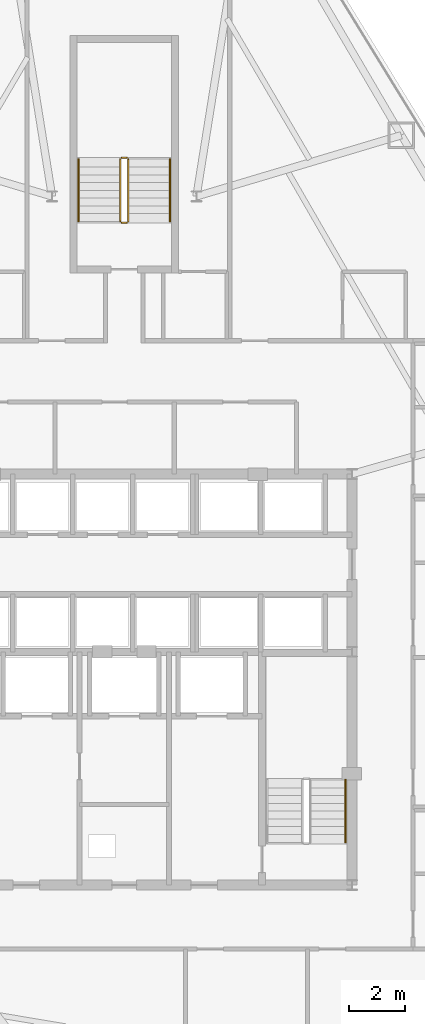
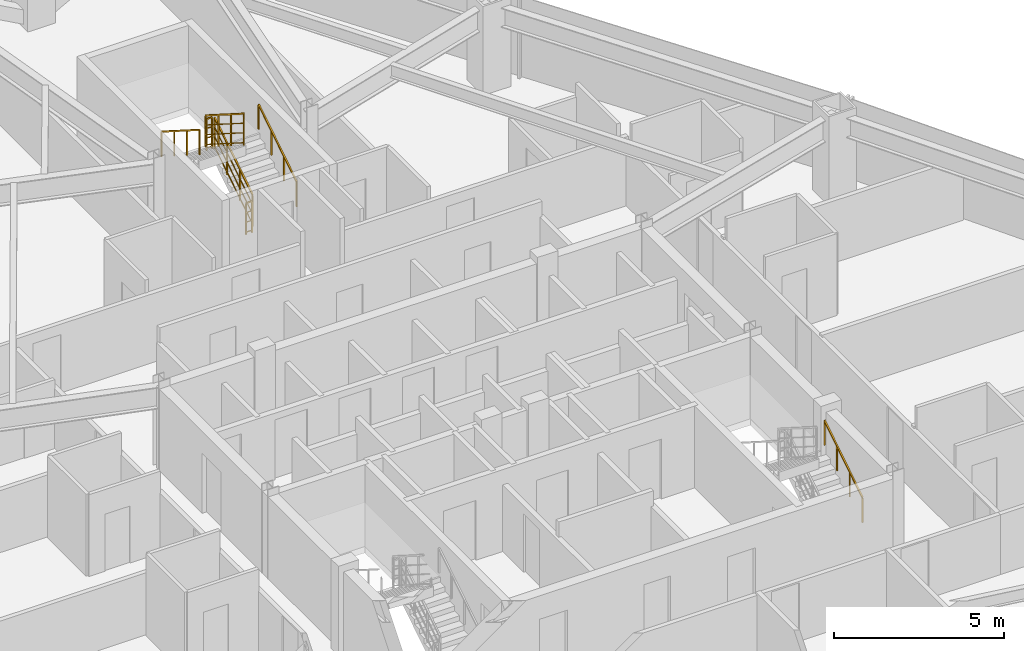
# One storey, part 13 of 13: 7 railings.
"""IFC4 building model written with IfcOpenShell, lengths in metres."""

from ifc_helpers import new_model, si_unit, direction, frame, origin, origin_2d, place, context, subcontext, project, spatial, rectangle, extrude, material, type_object, element, save


model = new_model("IFC4")

# Units and contexts
model_context = context("Model", 3, precision=1e-05, world=origin(), true_north=direction((0.0, 1.0)))
body_context = subcontext(model_context, "Body", "Model", "MODEL_VIEW")
ifc_project = project(units=[si_unit("LENGTHUNIT", "METRE"), si_unit("AREAUNIT", "SQUARE_METRE"), si_unit("VOLUMEUNIT", "CUBIC_METRE"), si_unit("PLANEANGLEUNIT", "RADIAN"), si_unit("MASSUNIT", "GRAM", prefix="KILO")], contexts=[model_context])

# Site, building, storey
site_placement = place(None, origin())
site = spatial("IfcSite", under=ifc_project, at=site_placement, CompositionType="ELEMENT")
building_placement = place(site_placement, origin())
building = spatial("IfcBuilding", under=site, at=building_placement, Name="Varakhsha Concourse Tower", CompositionType="ELEMENT")
storey_placement = place(building_placement, frame((0.0, 0.0, 108.60009765625)))
storey = spatial("IfcBuildingStorey", under=building, at=storey_placement, Name="L31", CompositionType="ELEMENT", Elevation=108.60009765625)

# Railings
ifc_material = material(Name="Brushed Austenitic Stainless Steel AISI 316", Category="steel")
railing_type_1 = type_object("IfcRailingType", Name="RL-STAIR-GUARD-1100", PredefinedType="GUARDRAIL", material=ifc_material)
railing_1_placement = place(storey_placement, frame((40.14990234375, 40.300048828125, 0.177734375)))
element("IfcRailing", 1, at=railing_1_placement, inside=storey, type_object=railing_type_1, Name="L31 ST5 stair guard 1", PredefinedType="GUARDRAIL", context=body_context, shape_type="SweptSolid", body=[
    extrude(rectangle(XDim=0.048095703125, YDim=0.048095703125, at=origin_2d()), frame((0.0, 0.0, 1.1259765625), z_axis=(0.0, 0.8442293374, 0.53598211339), x_axis=(-1.0, 0.0, 0.0)), (0.0, 0.0, 1.0), 2.6533203125),
    extrude(rectangle(XDim=0.028076171875, YDim=0.028076171875, at=origin_2d()), frame((0.0, 0.0, 0.080078125), z_axis=(0.0, 0.8442293374, 0.53598211339), x_axis=(-1.0, 0.0, 0.0)), (0.0, 0.0, 1.0), 2.6533203125),
    extrude(rectangle(XDim=0.028076171875, YDim=0.028076171875, at=origin_2d()), frame((0.0, 0.0, 0.43701171875), z_axis=(0.0, 0.8442293374, 0.53598211339), x_axis=(-1.0, 0.0, 0.0)), (0.0, 0.0, 1.0), 2.6533203125),
    extrude(rectangle(XDim=0.028076171875, YDim=0.028076171875, at=origin_2d()), frame((0.0, 0.0, 0.781982421875), z_axis=(0.0, 0.8442293374, 0.53598211339), x_axis=(-1.0, 0.0, 0.0)), (0.0, 0.0, 1.0), 2.6533203125),
    extrude(rectangle(XDim=0.0419921875, YDim=0.0419921875, at=origin_2d()), origin(), (0.0, 0.0, 1.0), 1.101806640625),
    extrude(rectangle(XDim=0.0419921875, YDim=0.0419921875, at=origin_2d()), frame((0.0, 0.74658203125, 0.47412109375)), (0.0, 0.0, 1.0), 1.101806640625),
    extrude(rectangle(XDim=0.0419921875, YDim=0.0419921875, at=origin_2d()), frame((0.0, 1.493408203125, 0.947998046875)), (0.0, 0.0, 1.0), 1.101806640625),
    extrude(rectangle(XDim=0.0419921875, YDim=0.0419921875, at=origin_2d()), frame((0.0, 2.239990234375, 1.422119140625)), (0.0, 0.0, 1.0), 1.101806640625),
])
railing_2_placement = place(storey_placement, frame((40.10009765625, 42.590087890625, 1.599853515625)))
element("IfcRailing", 2, at=railing_2_placement, inside=storey, type_object=railing_type_1, Name="L31 ST5 stair guard 2", PredefinedType="GUARDRAIL", context=body_context, shape_type="SweptSolid", body=[
    extrude(rectangle(XDim=0.048095703125, YDim=0.048095703125, at=origin_2d()), frame((0.0, 0.0, 1.1259765625), z_axis=(-1.0, 0.0, 0.0), x_axis=(0.0, -1.0, 0.0)), (0.0, 0.0, 1.0), 0.2001953125),
    extrude(rectangle(XDim=0.028076171875, YDim=0.028076171875, at=origin_2d()), frame((0.0, 0.0, 0.080078125), z_axis=(-1.0, 0.0, 0.0), x_axis=(0.0, -1.0, 0.0)), (0.0, 0.0, 1.0), 0.2001953125),
    extrude(rectangle(XDim=0.028076171875, YDim=0.028076171875, at=origin_2d()), frame((0.0, 0.0, 0.43701171875), z_axis=(-1.0, 0.0, 0.0), x_axis=(0.0, -1.0, 0.0)), (0.0, 0.0, 1.0), 0.2001953125),
    extrude(rectangle(XDim=0.028076171875, YDim=0.028076171875, at=origin_2d()), frame((0.0, 0.0, 0.781982421875), z_axis=(-1.0, 0.0, 0.0), x_axis=(0.0, -1.0, 0.0)), (0.0, 0.0, 1.0), 0.2001953125),
    extrude(rectangle(XDim=0.0419921875, YDim=0.0419921875, at=origin_2d()), origin(), (0.0, 0.0, 1.0), 1.101806640625),
    extrude(rectangle(XDim=0.0419921875, YDim=0.0419921875, at=origin_2d()), frame((-0.2001953125, 0.0, 0.0)), (0.0, 0.0, 1.0), 1.101806640625),
])
railing_3_placement = place(storey_placement, frame((39.85009765625, 42.5400390625, 1.777587890625)))
element("IfcRailing", 3, at=railing_3_placement, inside=storey, type_object=railing_type_1, Name="L31 ST5 stair guard 3", PredefinedType="GUARDRAIL", context=body_context, shape_type="SweptSolid", body=[
    extrude(rectangle(XDim=0.048095703125, YDim=0.048095703125, at=origin_2d()), frame((0.0, 0.0, 1.1259765625), z_axis=(0.0, -0.84418770128, 0.536047689118), x_axis=(1.0, 0.0, 0.0)), (0.0, 0.0, 1.0), 2.6533203125),
    extrude(rectangle(XDim=0.028076171875, YDim=0.028076171875, at=origin_2d()), frame((0.0, 0.0, 0.080078125), z_axis=(0.0, -0.84418770128, 0.536047689118), x_axis=(1.0, 0.0, 0.0)), (0.0, 0.0, 1.0), 2.6533203125),
    extrude(rectangle(XDim=0.028076171875, YDim=0.028076171875, at=origin_2d()), frame((0.0, 0.0, 0.43701171875), z_axis=(0.0, -0.84418770128, 0.536047689118), x_axis=(1.0, 0.0, 0.0)), (0.0, 0.0, 1.0), 2.6533203125),
    extrude(rectangle(XDim=0.028076171875, YDim=0.028076171875, at=origin_2d()), frame((0.0, 0.0, 0.781982421875), z_axis=(0.0, -0.84418770128, 0.536047689118), x_axis=(1.0, 0.0, 0.0)), (0.0, 0.0, 1.0), 2.6533203125),
    extrude(rectangle(XDim=0.0419921875, YDim=0.0419921875, at=origin_2d()), origin(), (0.0, 0.0, 1.0), 1.101806640625),
    extrude(rectangle(XDim=0.0419921875, YDim=0.0419921875, at=origin_2d()), frame((0.0, -0.74658203125, 0.47412109375)), (0.0, 0.0, 1.0), 1.101806640625),
    extrude(rectangle(XDim=0.0419921875, YDim=0.0419921875, at=origin_2d()), frame((0.0, -1.493408203125, 0.9482421875)), (0.0, 0.0, 1.0), 1.101806640625),
    extrude(rectangle(XDim=0.0419921875, YDim=0.0419921875, at=origin_2d()), frame((0.0, -2.239990234375, 1.42236328125)), (0.0, 0.0, 1.0), 1.101806640625),
])
railing_4_placement = place(storey_placement, frame((40.10009765625, 40.25, 0.0)))
element("IfcRailing", 4, at=railing_4_placement, inside=storey, type_object=railing_type_1, Name="L31 ST5 stair guard 4", PredefinedType="GUARDRAIL", context=body_context, shape_type="SweptSolid", body=[
    extrude(rectangle(XDim=0.048095703125, YDim=0.048095703125, at=origin_2d()), frame((0.0, 0.0, 1.1259765625), z_axis=(-1.0, 0.0, 0.0), x_axis=(0.0, -1.0, 0.0)), (0.0, 0.0, 1.0), 0.2001953125),
    extrude(rectangle(XDim=0.028076171875, YDim=0.028076171875, at=origin_2d()), frame((0.0, 0.0, 0.080078125), z_axis=(-1.0, 0.0, 0.0), x_axis=(0.0, -1.0, 0.0)), (0.0, 0.0, 1.0), 0.2001953125),
    extrude(rectangle(XDim=0.028076171875, YDim=0.028076171875, at=origin_2d()), frame((0.0, 0.0, 0.43701171875), z_axis=(-1.0, 0.0, 0.0), x_axis=(0.0, -1.0, 0.0)), (0.0, 0.0, 1.0), 0.2001953125),
    extrude(rectangle(XDim=0.028076171875, YDim=0.028076171875, at=origin_2d()), frame((0.0, 0.0, 0.781982421875), z_axis=(-1.0, 0.0, 0.0), x_axis=(0.0, -1.0, 0.0)), (0.0, 0.0, 1.0), 0.2001953125),
    extrude(rectangle(XDim=0.0419921875, YDim=0.0419921875, at=origin_2d()), origin(), (0.0, 0.0, 1.0), 1.101806640625),
    extrude(rectangle(XDim=0.0419921875, YDim=0.0419921875, at=origin_2d()), frame((-0.2001953125, 0.0, 0.0)), (0.0, 0.0, 1.0), 1.101806640625),
])
railing_type_2 = type_object("IfcRailingType", Name="RL-STAIR-RAIL-915", PredefinedType="HANDRAIL", material=ifc_material)
for number, where, name in (
    (5, (47.969970703125, 17.93994140625, 0.35546875), "L31 ST2 stair handrail 1"),
    (6, (41.64990234375, 40.300048828125, 0.35546875), "L31 ST5 stair handrail 1"),
):
    element("IfcRailing", number, at=place(storey_placement, frame(where)), inside=storey, type_object=railing_type_2, Name=name, PredefinedType="HANDRAIL", context=body_context, shape_type="SweptSolid", body=[
        extrude(rectangle(XDim=0.048095703125, YDim=0.048095703125, at=origin_2d()), frame((0.0, 0.0, 0.89111328125), z_axis=(0.0, 0.8442293374, 0.53598211339), x_axis=(-1.0, 0.0, 0.0)), (0.0, 0.0, 1.0), 2.6533203125),
        extrude(rectangle(XDim=0.0419921875, YDim=0.0419921875, at=origin_2d()), origin(), (0.0, 0.0, 1.0), 0.866943359375),
        extrude(rectangle(XDim=0.0419921875, YDim=0.0419921875, at=origin_2d()), frame((0.0, 0.74658203125, 0.47412109375)), (0.0, 0.0, 1.0), 0.866943359375),
        extrude(rectangle(XDim=0.0419921875, YDim=0.0419921875, at=origin_2d()), frame((0.0, 1.493408203125, 0.947998046875)), (0.0, 0.0, 1.0), 0.866943359375),
        extrude(rectangle(XDim=0.0419921875, YDim=0.0419921875, at=origin_2d()), frame((0.0, 2.239990234375, 1.422119140625)), (0.0, 0.0, 1.0), 0.866943359375),
    ])
railing_5_placement = place(storey_placement, frame((38.35009765625, 42.5400390625, 1.95556640625)))
element("IfcRailing", 7, at=railing_5_placement, inside=storey, type_object=railing_type_2, Name="L31 ST5 stair handrail 2", PredefinedType="HANDRAIL", context=body_context, shape_type="SweptSolid", body=[
    extrude(rectangle(XDim=0.048095703125, YDim=0.048095703125, at=origin_2d()), frame((0.0, 0.0, 0.89111328125), z_axis=(0.0, -0.8442293374, 0.53598211339), x_axis=(1.0, 0.0, 0.0)), (0.0, 0.0, 1.0), 2.6533203125),
    extrude(rectangle(XDim=0.0419921875, YDim=0.0419921875, at=origin_2d()), origin(), (0.0, 0.0, 1.0), 0.866943359375),
    extrude(rectangle(XDim=0.0419921875, YDim=0.0419921875, at=origin_2d()), frame((0.0, -0.74658203125, 0.47412109375)), (0.0, 0.0, 1.0), 0.866943359375),
    extrude(rectangle(XDim=0.0419921875, YDim=0.0419921875, at=origin_2d()), frame((0.0, -1.493408203125, 0.947998046875)), (0.0, 0.0, 1.0), 0.866943359375),
    extrude(rectangle(XDim=0.0419921875, YDim=0.0419921875, at=origin_2d()), frame((0.0, -2.239990234375, 1.422119140625)), (0.0, 0.0, 1.0), 0.866943359375),
])

save(model, "model.ifc")
